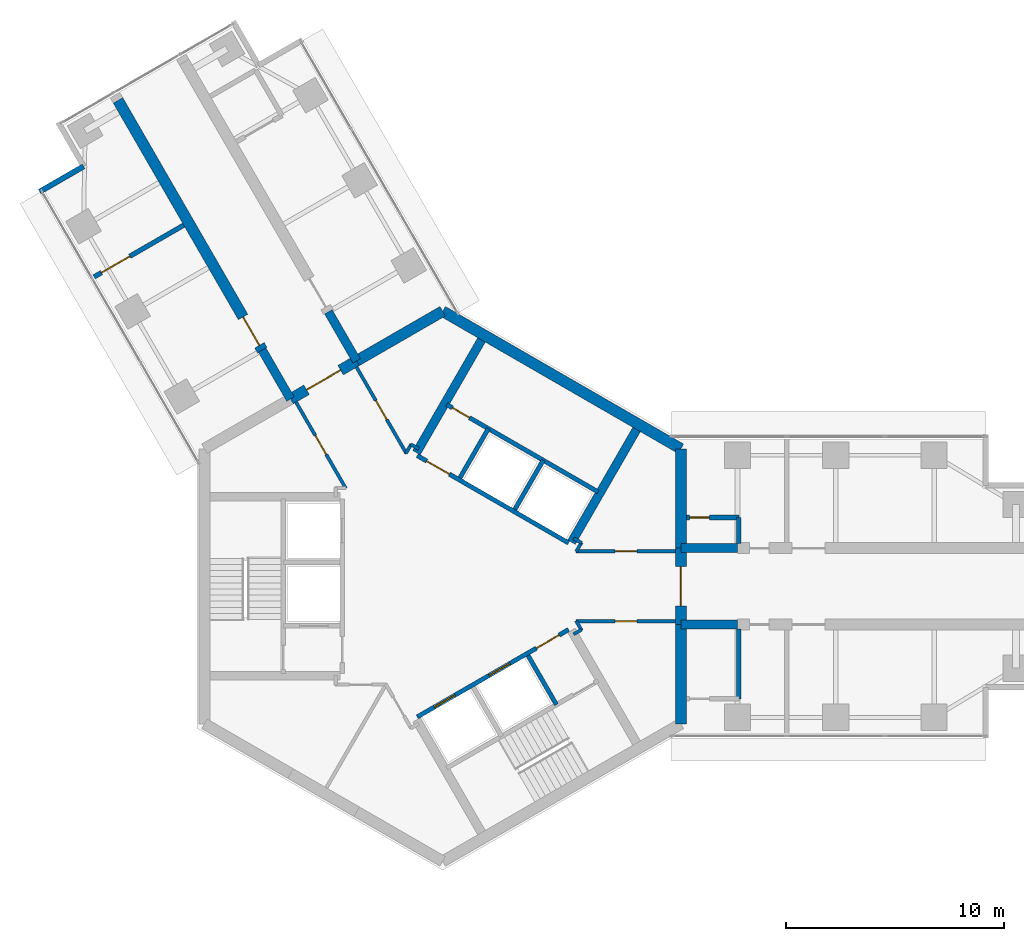
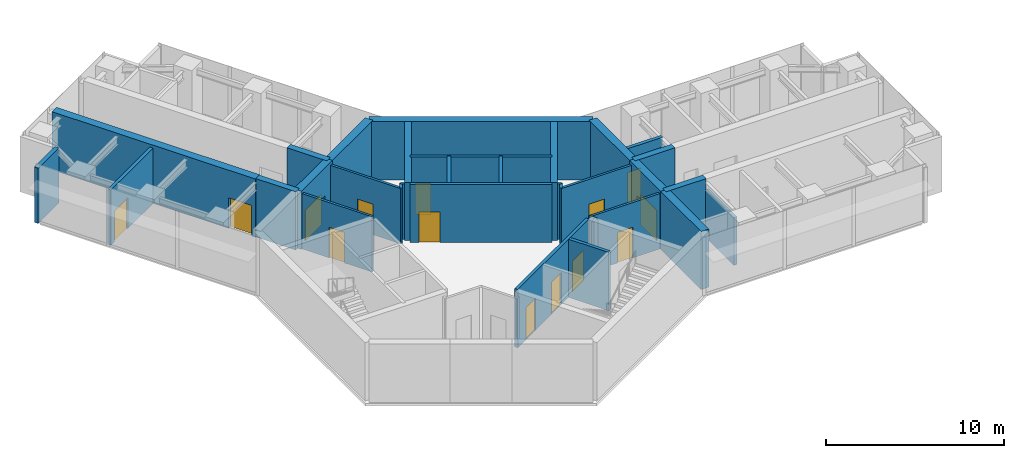
# One storey, part 12 of 17: 34 walls, 14 doors, 14 openings.
"""IFC4 building model written with IfcOpenShell, lengths in metres."""

from ifc_helpers import new_model, si_unit, direction, frame, frame_2d, origin, place, context, subcontext, project, spatial, rectangle, extrude, material, layer, layer_set, type_object, element, fill, save


model = new_model("IFC4")

# Units and contexts
model_context = context("Model", 3, precision=1e-05, world=origin(), true_north=direction((0.0, 1.0)))
body_context = subcontext(model_context, "Body", "Model", "MODEL_VIEW")
ifc_project = project(units=[si_unit("LENGTHUNIT", "METRE"), si_unit("AREAUNIT", "SQUARE_METRE"), si_unit("VOLUMEUNIT", "CUBIC_METRE"), si_unit("PLANEANGLEUNIT", "RADIAN"), si_unit("MASSUNIT", "GRAM", prefix="KILO")], contexts=[model_context])

# Site, building, storey
site_placement = place(None, origin())
site = spatial("IfcSite", under=ifc_project, at=site_placement, CompositionType="ELEMENT")
building_placement = place(site_placement, origin())
building = spatial("IfcBuilding", under=site, at=building_placement, Name="Upepo Twin Towers", CompositionType="ELEMENT")
storey_placement = place(building_placement, frame((0.0, 0.0, 182.5)))
storey = spatial("IfcBuildingStorey", under=building, at=storey_placement, Name="L44", CompositionType="ELEMENT", Elevation=182.5)

# Wall, opening, door
ifc_material_1 = material(Name="Concrete blockwork, plastered both faces", Category="masonry")
ifc_layer_1 = layer(ifc_material_1, 0.215087890625)
ifc_layer_set_1 = layer_set([ifc_layer_1], Name="Blockwork partition 215")
wall_type_1 = type_object("IfcWallType", Name="Blockwork partition 215", PredefinedType="PARTITIONING", material=ifc_layer_set_1)
wall_1_placement = place(storey_placement, frame((11.157958984375, 3.14990234375, 0.0), z_axis=(0.0, 0.0, 1.0), x_axis=(1.0, 0.0, 0.0)))
wall_1 = element("IfcWall", 1, at=wall_1_placement, inside=storey, type_object=wall_type_1, Name="T1 WC bay partition AL at 11.16", PredefinedType="PARTITIONING", context=body_context, shape_type="SweptSolid", body=[
    extrude(rectangle(XDim=2.400146484375, YDim=0.215087890625, at=frame_2d((1.2001953125, 0.0))), origin(), (0.0, 0.0, 1.0), 3.800048828125),
])
opening_1_placement = place(wall_1_placement, frame((0.14990234375, 0.0, 0.0)))
opening_1 = element("IfcOpeningElement", 2, at=opening_1_placement, cuts=wall_1, Name="Opening D14", PredefinedType="OPENING", context=body_context, shape_type="SweptSolid", body=[
    extrude(rectangle(XDim=0.89990234375, YDim=2.10009765625, at=frame_2d((0.449951171875, 1.050048828125))), frame((0.0, 0.117431640625, 0.0), z_axis=(0.0, -1.0, 0.0), x_axis=(1.0, 0.0, 0.0)), (0.0, 0.0, 1.0), 0.235107421875),
])
ifc_material_2 = material(Name="Timber doorset", Category="wood")
door_type_1 = type_object("IfcDoorType", Name="Office door 900 FD30", OperationType="SINGLE_SWING_LEFT", PredefinedType="DOOR", material=ifc_material_2)
door_1_placement = place(opening_1_placement, origin())
door_1 = element("IfcDoor", 3, at=door_1_placement, inside=storey, type_object=door_type_1, Name="T1 L44 WC bay inner room door", OperationType="SINGLE_SWING_LEFT", OverallHeight=2.10009765625, OverallWidth=0.89990234375, PredefinedType="DOOR", context=body_context, shape_type="SweptSolid", body=[
    extrude(rectangle(XDim=0.89990234375, YDim=2.10009765625, at=frame_2d((0.449951171875, 1.050048828125))), frame((0.0, 0.02490234375, 0.0), z_axis=(0.0, -1.0, 0.0), x_axis=(1.0, 0.0, 0.0)), (0.0, 0.0, 1.0), 0.050048828125),
])
fill(opening_1, door_1)

# Walls
wall_2_placement = place(storey_placement, frame((13.55810546875, 1.949951171875, 0.0), z_axis=(0.0, 0.0, 1.0), x_axis=(0.0, 1.0, 0.0)))
element("IfcWall", 4, at=wall_2_placement, inside=storey, type_object=wall_type_1, Name="T1 WC bay partition AL end at 13.56", PredefinedType="PARTITIONING", context=body_context, shape_type="SweptSolid", body=[
    extrude(rectangle(XDim=1.199951171875, YDim=0.215087890625, at=frame_2d((0.60009765625, 0.0))), origin(), (0.0, 0.0, 1.0), 3.266845703125),
])
wall_3_placement = place(storey_placement, frame((13.55810546875, -1.949951171875, 0.0), z_axis=(0.0, 0.0, 1.0), x_axis=(0.0, -1.0, 0.0)))
element("IfcWall", 5, at=wall_3_placement, inside=storey, type_object=wall_type_1, Name="T1 WC bay partition AR end at 13.56", PredefinedType="PARTITIONING", context=body_context, shape_type="SweptSolid", body=[
    extrude(rectangle(XDim=3.199951171875, YDim=0.215087890625, at=frame_2d((1.60009765625, 0.0))), origin(), (0.0, 0.0, 1.0), 3.266845703125),
])

# Wall, opening, door
wall_4_placement = place(storey_placement, frame((-11.85693359375, 16.537109375, 0.0), z_axis=(0.0, 0.0, 1.0), x_axis=(-0.866033238375, -0.499986429846, 0.0)))
wall_4 = element("IfcWall", 6, at=wall_4_placement, inside=storey, type_object=wall_type_1, Name="T1 partition BL at 20.25", PredefinedType="PARTITIONING", context=body_context, shape_type="SweptSolid", body=[
    extrude(rectangle(XDim=4.750244140625, YDim=0.215087890625, at=frame_2d((2.375, 0.0))), origin(), (0.0, 0.0, 1.0), 3.800048828125),
])
opening_2_placement = place(wall_4_placement, frame((2.85009765625, 0.0, 0.0)))
opening_2 = element("IfcOpeningElement", 7, at=opening_2_placement, cuts=wall_4, Name="Opening D13", PredefinedType="OPENING", context=body_context, shape_type="SweptSolid", body=[
    extrude(rectangle(XDim=1.5, YDim=2.10009765625, at=frame_2d((0.75, 1.050048828125))), frame((0.0, 0.117431640625, 0.0), z_axis=(0.0, -1.0, 0.0), x_axis=(1.0, 0.0, 0.0)), (0.0, 0.0, 1.0), 0.235107421875),
])
ifc_material_3 = material(Name="Timber doorset", Category="wood")
door_type_2 = type_object("IfcDoorType", Name="Double door 1500 FD30", OperationType="DOUBLE_DOOR_SINGLE_SWING", PredefinedType="DOOR", material=ifc_material_3)
door_2_placement = place(opening_2_placement, origin())
door_2 = element("IfcDoor", 8, at=door_2_placement, inside=storey, type_object=door_type_2, Name="T1 L44 connecting door", OperationType="DOUBLE_DOOR_SINGLE_SWING", OverallHeight=2.10009765625, OverallWidth=1.5, PredefinedType="DOOR", context=body_context, shape_type="SweptSolid", body=[
    extrude(rectangle(XDim=1.5, YDim=2.10009765625, at=frame_2d((0.75, 1.050048828125))), frame((0.0, 0.02490234375, 0.0), z_axis=(0.0, -1.0, 0.0), x_axis=(1.0, 0.0, 0.0)), (0.0, 0.0, 1.0), 0.050048828125),
])
fill(opening_2, door_2)

# Walls
ifc_material_4 = material(Name="Concrete C60/75", Category="concrete")
ifc_layer_2 = layer(ifc_material_4, 0.39990234375)
ifc_layer_set_2 = layer_set([ifc_layer_2], Name="Concrete C60/75")
wall_type_2 = type_object("IfcWallType", Name="Buttress wall 400 RC", PredefinedType="SHEAR", material=ifc_layer_set_2)
for number, where, z_axis, x_axis, name in (
    (9, (10.908447265625, 1.75, 0.0), (0.0, 0.0, 1.0), (1.0, 0.0, 0.0), "T1 wing A buttress wall L"),
    (10, (10.908447265625, -1.75, 0.0), (0.0, 0.0, 1.0), (1.0, 0.0, 0.0), "T1 wing A buttress wall R"),
):
    element("IfcWall", number, at=place(storey_placement, frame(where, z_axis=z_axis, x_axis=x_axis)), inside=storey, type_object=wall_type_2, Name=name, PredefinedType="SHEAR", context=body_context, shape_type="SweptSolid", body=[
        extrude(rectangle(XDim=2.591552734375, YDim=0.39990234375, at=frame_2d((1.2958984375, 0.0))), origin(), (0.0, 0.0, 1.0), 4.0),
    ])
for number, where, z_axis, x_axis, name in (
    (11, (-6.9697265625, 8.57177734375, 0.0), (0.0, 0.0, 1.0), (-0.499988811324, 0.866031863473, 0.0), "T1 wing B buttress wall L"),
    (12, (-3.938720703125, 10.32177734375, 0.0), (0.0, 0.0, 1.0), (-0.499918158782, 0.866072649678, 0.0), "T1 wing B buttress wall R"),
):
    element("IfcWall", number, at=place(storey_placement, frame(where, z_axis=z_axis, x_axis=x_axis)), inside=storey, type_object=wall_type_2, Name=name, PredefinedType="SHEAR", context=body_context, shape_type="SweptSolid", body=[
        extrude(rectangle(XDim=2.591796875, YDim=0.39990234375, at=frame_2d((1.2958984375, 0.0))), origin(), (0.0, 0.0, 1.0), 4.0),
    ])

# Wall, opening, door
ifc_material_5 = material(Name="Concrete C60/75", Category="concrete")
ifc_layer_3 = layer(ifc_material_5, 0.5)
ifc_layer_set_3 = layer_set([ifc_layer_3], Name="Concrete C60/75")
wall_type_3 = type_object("IfcWallType", Name="Buttress wall 500 RC", PredefinedType="SHEAR", material=ifc_layer_set_3)
wall_5_placement = place(storey_placement, frame((-8.265625, 10.81640625, 0.0), z_axis=(0.0, 0.0, 1.0), x_axis=(-0.499996231654, 0.866027579429, 0.0)))
wall_5 = element("IfcWall", 13, at=wall_5_placement, inside=storey, type_object=wall_type_3, Name="T1 wing B buttress wall L part 2", PredefinedType="SHEAR", context=body_context, shape_type="SweptSolid", body=[
    extrude(rectangle(XDim=13.19970703125, YDim=0.5, at=frame_2d((6.599853515625, 0.0))), origin(), (0.0, 0.0, 1.0), 4.0),
])
opening_3_placement = place(wall_5_placement, frame((0.25, 0.0, 0.0)))
opening_3 = element("IfcOpeningElement", 14, at=opening_3_placement, cuts=wall_5, Name="Opening D13", PredefinedType="OPENING", context=body_context, shape_type="SweptSolid", body=[
    extrude(rectangle(XDim=1.5, YDim=2.10009765625, at=frame_2d((0.75, 1.050048828125))), frame((0.0, 0.260009765625, 0.0), z_axis=(0.0, -1.0, 0.0), x_axis=(1.0, 0.0, 0.0)), (0.0, 0.0, 1.0), 0.52001953125),
])
door_3_placement = place(opening_3_placement, origin())
door_3 = element("IfcDoor", 15, at=door_3_placement, inside=storey, type_object=door_type_2, Name="T1 L44 engineering laboratory door", OperationType="DOUBLE_DOOR_SINGLE_SWING", OverallHeight=2.10009765625, OverallWidth=1.5, PredefinedType="DOOR", context=body_context, shape_type="SweptSolid", body=[
    extrude(rectangle(XDim=1.5, YDim=2.10009765625, at=frame_2d((0.75, 1.050048828125))), frame((0.0, 0.02490234375, 0.0), z_axis=(0.0, -1.0, 0.0), x_axis=(1.0, 0.0, 0.0)), (0.0, 0.0, 1.0), 0.050048828125),
])
fill(opening_3, door_3)

# Wall
ifc_material_6 = material(Name="Concrete C60/75", Category="concrete")
ifc_layer_4 = layer(ifc_material_6, 0.5)
ifc_layer_set_4 = layer_set([ifc_layer_4], Name="Concrete C60/75")
wall_type_4 = type_object("IfcWallType", Name="Core wall 500 RC", PredefinedType="SHEAR", material=ifc_layer_set_4)
wall_6_placement = place(storey_placement, frame((10.908447265625, -6.2978515625, 0.0), z_axis=(0.0, 0.0, 1.0), x_axis=(0.0, 1.0, 0.0)))
element("IfcWall", 16, at=wall_6_placement, inside=storey, type_object=wall_type_4, Name="T1 core wall 000 R", PredefinedType="SHEAR", context=body_context, shape_type="SweptSolid", body=[
    extrude(rectangle(XDim=4.5478515625, YDim=0.5, at=frame_2d((2.27392578125, 0.0))), origin(), (0.0, 0.0, 1.0), 4.0),
])

# Wall, opening, door
wall_7_placement = place(storey_placement, frame((10.908447265625, -1.75, 0.0), z_axis=(0.0, 0.0, 1.0), x_axis=(0.0, 1.0, 0.0)))
wall_7 = element("IfcWall", 17, at=wall_7_placement, inside=storey, type_object=wall_type_4, Name="T1 core wall 000", PredefinedType="SHEAR", context=body_context, shape_type="SweptSolid", body=[
    extrude(rectangle(XDim=3.5, YDim=0.5, at=frame_2d((1.75, 0.0))), origin(), (0.0, 0.0, 1.0), 4.0),
])
opening_4_placement = place(wall_7_placement, frame((0.85009765625, 0.0, 0.0)))
opening_4 = element("IfcOpeningElement", 18, at=opening_4_placement, cuts=wall_7, Name="Opening D2", PredefinedType="OPENING", context=body_context, shape_type="SweptSolid", body=[
    extrude(rectangle(XDim=1.800048828125, YDim=2.10009765625, at=frame_2d((0.89990234375, 1.050048828125))), frame((0.0, 0.260009765625, 0.0), z_axis=(0.0, -1.0, 0.0), x_axis=(1.0, 0.0, 0.0)), (0.0, 0.0, 1.0), 0.52001953125),
])
ifc_material_7 = material(Name="Timber doorset", Category="wood")
door_type_3 = type_object("IfcDoorType", Name="Corridor double door 1800 FD60", OperationType="DOUBLE_DOOR_DOUBLE_SWING", PredefinedType="DOOR", material=ifc_material_7)
door_4_placement = place(opening_4_placement, origin())
door_4 = element("IfcDoor", 19, at=door_4_placement, inside=storey, type_object=door_type_3, Name="T1 L44 wing A corridor door", OperationType="DOUBLE_DOOR_DOUBLE_SWING", OverallHeight=2.10009765625, OverallWidth=1.800048828125, PredefinedType="DOOR", context=body_context, shape_type="SweptSolid", body=[
    extrude(rectangle(XDim=1.800048828125, YDim=2.10009765625, at=frame_2d((0.89990234375, 1.050048828125))), frame((0.0, 0.02490234375, 0.0), z_axis=(0.0, -1.0, 0.0), x_axis=(1.0, 0.0, 0.0)), (0.0, 0.0, 1.0), 0.050048828125),
])
fill(opening_4, door_4)

# Walls
wall_8_placement = place(storey_placement, frame((10.908447265625, 1.75, 0.0), z_axis=(0.0, 0.0, 1.0), x_axis=(0.0, 1.0, 0.0)))
element("IfcWall", 20, at=wall_8_placement, inside=storey, type_object=wall_type_4, Name="T1 core wall 000 L", PredefinedType="SHEAR", context=body_context, shape_type="SweptSolid", body=[
    extrude(rectangle(XDim=4.5478515625, YDim=0.5, at=frame_2d((2.27392578125, 0.0))), origin(), (0.0, 0.0, 1.0), 4.0),
])
wall_9_placement = place(storey_placement, frame((10.908447265625, 6.2978515625, 0.0), z_axis=(0.0, 0.0, 1.0), x_axis=(-0.866021940709, 0.500005998175, 0.0)))
element("IfcWall", 21, at=wall_9_placement, inside=storey, type_object=wall_type_4, Name="T1 core wall 060", PredefinedType="SHEAR", context=body_context, shape_type="SweptSolid", body=[
    extrude(rectangle(XDim=12.595947265625, YDim=0.5, at=frame_2d((6.2978515625, 0.0))), origin(), (0.0, 0.0, 1.0), 4.0),
])
wall_10_placement = place(storey_placement, frame((0.0, 12.595947265625, 0.0), z_axis=(0.0, 0.0, 1.0), x_axis=(-0.866011268655, -0.500024481964, 0.0)))
element("IfcWall", 22, at=wall_10_placement, inside=storey, type_object=wall_type_4, Name="T1 core wall 120 R", PredefinedType="SHEAR", context=body_context, shape_type="SweptSolid", body=[
    extrude(rectangle(XDim=4.548095703125, YDim=0.5, at=frame_2d((2.27392578125, 0.0))), origin(), (0.0, 0.0, 1.0), 4.0),
])

# Wall, opening, door
wall_11_placement = place(storey_placement, frame((-3.938720703125, 10.32177734375, 0.0), z_axis=(0.0, 0.0, 1.0), x_axis=(-0.866019471182, -0.500010275428, 0.0)))
wall_11 = element("IfcWall", 23, at=wall_11_placement, inside=storey, type_object=wall_type_4, Name="T1 core wall 120", PredefinedType="SHEAR", context=body_context, shape_type="SweptSolid", body=[
    extrude(rectangle(XDim=3.5, YDim=0.5, at=frame_2d((1.75, 0.0))), origin(), (0.0, 0.0, 1.0), 4.0),
])
opening_5_placement = place(wall_11_placement, frame((0.85009765625, 0.0, 0.0)))
opening_5 = element("IfcOpeningElement", 24, at=opening_5_placement, cuts=wall_11, Name="Opening D2", PredefinedType="OPENING", context=body_context, shape_type="SweptSolid", body=[
    extrude(rectangle(XDim=1.800048828125, YDim=2.10009765625, at=frame_2d((0.89990234375, 1.050048828125))), frame((0.0, 0.260009765625, 0.0), z_axis=(0.0, -1.0, 0.0), x_axis=(1.0, 0.0, 0.0)), (0.0, 0.0, 1.0), 0.52001953125),
])
door_5_placement = place(opening_5_placement, origin())
door_5 = element("IfcDoor", 25, at=door_5_placement, inside=storey, type_object=door_type_3, Name="T1 L44 wing B corridor door", OperationType="DOUBLE_DOOR_DOUBLE_SWING", OverallHeight=2.10009765625, OverallWidth=1.800048828125, PredefinedType="DOOR", context=body_context, shape_type="SweptSolid", body=[
    extrude(rectangle(XDim=1.800048828125, YDim=2.10009765625, at=frame_2d((0.89990234375, 1.050048828125))), frame((0.0, 0.02490234375, 0.0), z_axis=(0.0, -1.0, 0.0), x_axis=(1.0, 0.0, 0.0)), (0.0, 0.0, 1.0), 0.050048828125),
])
fill(opening_5, door_5)

# Wall
ifc_material_8 = material(Name="Blockwork with anodised aluminium cladding", Category="masonry")
ifc_layer_5 = layer(ifc_material_8, 0.25)
ifc_layer_set_5 = layer_set([ifc_layer_5], Name="Notch cladding wall 250, pale metal")
wall_type_5 = type_object("IfcWallType", Name="Notch cladding wall 250, pale metal", PredefinedType="STANDARD", material=ifc_layer_set_5)
wall_12_placement = place(storey_placement, frame((-18.456298828125, 18.0673828125, 0.0), z_axis=(0.0, 0.0, 1.0), x_axis=(0.865998469481, 0.500046648681, 0.0)))
element("IfcWall", 26, at=wall_12_placement, inside=storey, type_object=wall_type_5, Name="T1 L44 wing B notch wall L1", PredefinedType="STANDARD", context=body_context, shape_type="SweptSolid", body=[
    extrude(rectangle(XDim=2.324951171875, YDim=0.25, at=frame_2d((1.16259765625, 0.0))), origin(), (0.0, 0.0, 1.0), 3.800048828125),
])

# Wall, opening, door
ifc_material_9 = material(Name="Concrete C40/50", Category="concrete")
ifc_layer_6 = layer(ifc_material_9, 0.199951171875)
ifc_layer_set_6 = layer_set([ifc_layer_6], Name="Concrete C40/50")
wall_type_6 = type_object("IfcWallType", Name="Shaft wall 200 RC", PredefinedType="SHEAR", material=ifc_layer_set_6)
wall_13_placement = place(storey_placement, frame((5.76416015625, 1.983642578125, 0.0), z_axis=(0.0, 0.0, 1.0), x_axis=(-0.866026010844, 0.49999894854, 0.0)))
wall_13 = element("IfcWall", 27, at=wall_13_placement, inside=storey, type_object=wall_type_6, Name="T1 core W60 front wall", PredefinedType="SHEAR", context=body_context, shape_type="SweptSolid", body=[
    extrude(rectangle(XDim=8.0, YDim=0.199951171875, at=frame_2d((4.0, 0.0))), origin(), (0.0, 0.0, 1.0), 4.0),
])
opening_6_placement = place(wall_13_placement, frame((6.300048828125, 0.0, 0.0)))
opening_6 = element("IfcOpeningElement", 28, at=opening_6_placement, cuts=wall_13, Name="Opening D4", PredefinedType="OPENING", context=body_context, shape_type="SweptSolid", body=[
    extrude(rectangle(XDim=1.199951171875, YDim=2.10009765625, at=frame_2d((0.60009765625, 1.050048828125))), frame((0.0, 0.10986328125, 0.0), z_axis=(0.0, -1.0, 0.0), x_axis=(1.0, 0.0, 0.0)), (0.0, 0.0, 1.0), 0.219970703125),
])
ifc_material_10 = material(Name="Timber doorset", Category="wood")
door_type_4 = type_object("IfcDoorType", Name="Lobby door 1200 FD60", OperationType="SINGLE_SWING_LEFT", PredefinedType="DOOR", material=ifc_material_10)
door_6_placement = place(opening_6_placement, origin())
door_6 = element("IfcDoor", 29, at=door_6_placement, inside=storey, type_object=door_type_4, Name="T1 L44 W60 lobby door", OperationType="SINGLE_SWING_RIGHT", OverallHeight=2.10009765625, OverallWidth=1.199951171875, PredefinedType="DOOR", context=body_context, shape_type="SweptSolid", body=[
    extrude(rectangle(XDim=1.199951171875, YDim=2.10009765625, at=frame_2d((0.60009765625, 1.050048828125))), frame((0.0, 0.02490234375, 0.0), z_axis=(0.0, -1.0, 0.0), x_axis=(1.0, 0.0, 0.0)), (0.0, 0.0, 1.0), 0.050048828125),
])
fill(opening_6, door_6)

# Walls
for number, where, z_axis, x_axis, name in (
    (30, (3.302734375, 3.520263671875, 0.0), (0.0, 0.0, 1.0), (0.499936506574, 0.866062058628, 0.0), "T1 core W60 shaft divider"),
    (31, (0.791259765625, 4.97021484375, 0.0), (0.0, 0.0, 1.0), (0.499936506574, 0.866062058628, 0.0), "T1 core W60 lobby wall"),
):
    element("IfcWall", number, at=place(storey_placement, frame(where, z_axis=z_axis, x_axis=x_axis)), inside=storey, type_object=wall_type_6, Name=name, PredefinedType="SHEAR", context=body_context, shape_type="SweptSolid", body=[
        extrude(rectangle(XDim=2.599853515625, YDim=0.199951171875, at=frame_2d((1.2998046875, 0.0))), origin(), (0.0, 0.0, 1.0), 4.0),
    ])

# Wall, opening, door
wall_14_placement = place(storey_placement, frame((7.114013671875, 4.322021484375, 0.0), z_axis=(0.0, 0.0, 1.0), x_axis=(-0.866026010844, 0.49999894854, 0.0)))
wall_14 = element("IfcWall", 32, at=wall_14_placement, inside=storey, type_object=wall_type_6, Name="T1 core W60 stair wall", PredefinedType="SHEAR", context=body_context, shape_type="SweptSolid", body=[
    extrude(rectangle(XDim=8.0, YDim=0.199951171875, at=frame_2d((4.0, 0.0))), origin(), (0.0, 0.0, 1.0), 4.0),
])
opening_7_placement = place(wall_14_placement, frame((6.800048828125, 0.0, 0.0)))
opening_7 = element("IfcOpeningElement", 33, at=opening_7_placement, cuts=wall_14, Name="Opening D9", PredefinedType="OPENING", context=body_context, shape_type="SweptSolid", body=[
    extrude(rectangle(XDim=0.89990234375, YDim=2.10009765625, at=frame_2d((0.449951171875, 1.050048828125))), frame((0.0, 0.10986328125, 0.0), z_axis=(0.0, -1.0, 0.0), x_axis=(1.0, 0.0, 0.0)), (0.0, 0.0, 1.0), 0.219970703125),
])
ifc_material_11 = material(Name="Timber doorset", Category="wood")
door_type_5 = type_object("IfcDoorType", Name="Riser door 900 FD60", OperationType="SINGLE_SWING_LEFT", PredefinedType="DOOR", material=ifc_material_11)
door_7_placement = place(opening_7_placement, origin())
door_7 = element("IfcDoor", 34, at=door_7_placement, inside=storey, type_object=door_type_5, Name="T1 L44 riser door", OperationType="SINGLE_SWING_RIGHT", OverallHeight=2.10009765625, OverallWidth=0.89990234375, PredefinedType="DOOR", context=body_context, shape_type="SweptSolid", body=[
    extrude(rectangle(XDim=0.89990234375, YDim=2.10009765625, at=frame_2d((0.449951171875, 1.050048828125))), frame((0.0, 0.02490234375, 0.0), z_axis=(0.0, -1.0, 0.0), x_axis=(1.0, 0.0, 0.0)), (0.0, 0.0, 1.0), 0.050048828125),
])
fill(opening_7, door_7)

# Wall, openings, doors
wall_15_placement = place(storey_placement, frame((-1.1640625, -5.983642578125, 0.0), z_axis=(0.0, 0.0, 1.0), x_axis=(0.866026010844, 0.49999894854, 0.0)))
wall_15 = element("IfcWall", 35, at=wall_15_placement, inside=storey, type_object=wall_type_6, Name="T1 core W300 front wall", PredefinedType="SHEAR", context=body_context, shape_type="SweptSolid", body=[
    extrude(rectangle(XDim=8.0, YDim=0.199951171875, at=frame_2d((4.0, 0.0))), origin(), (0.0, 0.0, 1.0), 4.0),
])
opening_8_placement = place(wall_15_placement, frame((6.300048828125, 0.0, 0.0)))
opening_8 = element("IfcOpeningElement", 36, at=opening_8_placement, cuts=wall_15, Name="Opening D4", PredefinedType="OPENING", context=body_context, shape_type="SweptSolid", body=[
    extrude(rectangle(XDim=1.199951171875, YDim=2.10009765625, at=frame_2d((0.60009765625, 1.050048828125))), frame((0.0, 0.10986328125, 0.0), z_axis=(0.0, -1.0, 0.0), x_axis=(1.0, 0.0, 0.0)), (0.0, 0.0, 1.0), 0.219970703125),
])
opening_9_placement = place(wall_15_placement, frame((0.89990234375, 0.0, 0.0)))
opening_9 = element("IfcOpeningElement", 37, at=opening_9_placement, cuts=wall_15, Name="Opening LD1", PredefinedType="OPENING", context=body_context, shape_type="SweptSolid", body=[
    extrude(rectangle(XDim=1.10009765625, YDim=2.199951171875, at=frame_2d((0.550048828125, 1.10009765625))), frame((0.0, 0.10986328125, 0.0), z_axis=(0.0, -1.0, 0.0), x_axis=(1.0, 0.0, 0.0)), (0.0, 0.0, 1.0), 0.219970703125),
])
opening_10_placement = place(wall_15_placement, frame((3.800048828125, 0.0, 0.0)))
opening_10 = element("IfcOpeningElement", 38, at=opening_10_placement, cuts=wall_15, Name="Opening LD1", PredefinedType="OPENING", context=body_context, shape_type="SweptSolid", body=[
    extrude(rectangle(XDim=1.10009765625, YDim=2.199951171875, at=frame_2d((0.550048828125, 1.10009765625))), frame((0.0, 0.10986328125, 0.0), z_axis=(0.0, -1.0, 0.0), x_axis=(1.0, 0.0, 0.0)), (0.0, 0.0, 1.0), 0.219970703125),
])
ifc_material_12 = material(Name="Steel doorset", Category="steel")
door_type_6 = type_object("IfcDoorType", Name="Lift landing door 1100", OperationType="DOUBLE_DOOR_SLIDING", PredefinedType="DOOR", material=ifc_material_12)
door_8_placement = place(opening_9_placement, origin())
door_8 = element("IfcDoor", 39, at=door_8_placement, inside=storey, type_object=door_type_6, Name="T1 L44 lift UL1 landing door", OperationType="DOUBLE_DOOR_SLIDING", OverallHeight=2.199951171875, OverallWidth=1.10009765625, PredefinedType="DOOR", context=body_context, shape_type="SweptSolid", body=[
    extrude(rectangle(XDim=1.10009765625, YDim=2.199951171875, at=frame_2d((0.550048828125, 1.10009765625))), frame((0.0, 0.02490234375, 0.0), z_axis=(0.0, -1.0, 0.0), x_axis=(1.0, 0.0, 0.0)), (0.0, 0.0, 1.0), 0.050048828125),
])
fill(opening_9, door_8)
door_9_placement = place(opening_10_placement, origin())
door_9 = element("IfcDoor", 40, at=door_9_placement, inside=storey, type_object=door_type_6, Name="T1 L44 lift UL2 landing door", OperationType="DOUBLE_DOOR_SLIDING", OverallHeight=2.199951171875, OverallWidth=1.10009765625, PredefinedType="DOOR", context=body_context, shape_type="SweptSolid", body=[
    extrude(rectangle(XDim=1.10009765625, YDim=2.199951171875, at=frame_2d((0.550048828125, 1.10009765625))), frame((0.0, 0.02490234375, 0.0), z_axis=(0.0, -1.0, 0.0), x_axis=(1.0, 0.0, 0.0)), (0.0, 0.0, 1.0), 0.050048828125),
])
fill(opening_10, door_9)
door_10_placement = place(opening_8_placement, origin())
door_10 = element("IfcDoor", 41, at=door_10_placement, inside=storey, type_object=door_type_4, Name="T1 L44 W300 lobby door", OperationType="SINGLE_SWING_RIGHT", OverallHeight=2.10009765625, OverallWidth=1.199951171875, PredefinedType="DOOR", context=body_context, shape_type="SweptSolid", body=[
    extrude(rectangle(XDim=1.199951171875, YDim=2.10009765625, at=frame_2d((0.60009765625, 1.050048828125))), frame((0.0, 0.02490234375, 0.0), z_axis=(0.0, -1.0, 0.0), x_axis=(1.0, 0.0, 0.0)), (0.0, 0.0, 1.0), 0.050048828125),
])
fill(opening_8, door_10)

# Walls
wall_16_placement = place(storey_placement, frame((3.908935546875, -3.17041015625, 0.0), z_axis=(0.0, 0.0, 1.0), x_axis=(0.49997716683, -0.86603858612, 0.0)))
element("IfcWall", 42, at=wall_16_placement, inside=storey, type_object=wall_type_6, Name="T1 core W300 lobby wall", PredefinedType="SHEAR", context=body_context, shape_type="SweptSolid", body=[
    extrude(rectangle(XDim=2.599609375, YDim=0.199951171875, at=frame_2d((1.2998046875, 0.0))), origin(), (0.0, 0.0, 1.0), 4.0),
])
ifc_material_13 = material(Name="Concrete C40/50", Category="concrete")
ifc_layer_7 = layer(ifc_material_13, 0.39990234375)
ifc_layer_set_7 = layer_set([ifc_layer_7], Name="Concrete C40/50")
wall_type_7 = type_object("IfcWallType", Name="Shaft wall 400 RC", PredefinedType="SHEAR", material=ifc_layer_set_7)
wall_17_placement = place(storey_placement, frame((-1.20068359375, 6.120361328125, 0.0), z_axis=(0.0, 0.0, 1.0), x_axis=(0.500021575205, 0.866012946976, 0.0)))
element("IfcWall", 43, at=wall_17_placement, inside=storey, type_object=wall_type_7, Name="T1 core W60 side wall N", PredefinedType="SHEAR", context=body_context, shape_type="SweptSolid", body=[
    extrude(rectangle(XDim=5.958251953125, YDim=0.39990234375, at=frame_2d((2.97900390625, 0.0))), origin(), (0.0, 0.0, 1.0), 4.0),
])
wall_18_placement = place(storey_placement, frame((5.900634765625, 2.020263671875, 0.0), z_axis=(0.0, 0.0, 1.0), x_axis=(0.500003832394, 0.86602319114, 0.0)))
element("IfcWall", 44, at=wall_18_placement, inside=storey, type_object=wall_type_7, Name="T1 core W60 side wall S", PredefinedType="SHEAR", context=body_context, shape_type="SweptSolid", body=[
    extrude(rectangle(XDim=5.95849609375, YDim=0.39990234375, at=frame_2d((2.979248046875, 0.0))), origin(), (0.0, 0.0, 1.0), 4.0),
])
ifc_material_14 = material(Name="Gypsum board on steel studs", Category="steel")
ifc_layer_8 = layer(ifc_material_14, 0.14990234375)
ifc_layer_set_8 = layer_set([ifc_layer_8], Name="Teaching partition 150 acoustic")
wall_type_8 = type_object("IfcWallType", Name="Teaching partition 150 acoustic", PredefinedType="PARTITIONING", material=ifc_layer_set_8)
wall_19_placement = place(storey_placement, frame((6.364501953125, -1.9833984375, 0.0), z_axis=(0.0, 0.0, 1.0), x_axis=(-0.865892400268, -0.500230298122, 0.0)))
element("IfcWall", 45, at=wall_19_placement, inside=storey, type_object=wall_type_8, Name="T1 core room partition 1", PredefinedType="PARTITIONING", context=body_context, shape_type="SweptSolid", body=[
    extrude(rectangle(XDim=0.429931640625, YDim=0.14990234375, at=frame_2d((0.21484375, 0.0))), origin(), (0.0, 0.0, 1.0), 3.800048828125),
])

# Wall, opening, door
wall_20_placement = place(storey_placement, frame((-4.435546875, 4.482666015625, 0.0), z_axis=(0.0, 0.0, 1.0), x_axis=(-0.500001558674, 0.866024503882, 0.0)))
wall_20 = element("IfcWall", 46, at=wall_20_placement, inside=storey, type_object=wall_type_8, Name="T1 core room partition 8", PredefinedType="PARTITIONING", context=body_context, shape_type="SweptSolid", body=[
    extrude(rectangle(XDim=4.568359375, YDim=0.14990234375, at=frame_2d((2.2841796875, 0.0))), origin(), (0.0, 0.0, 1.0), 3.800048828125),
])
opening_11_placement = place(wall_20_placement, frame((1.794189453125, 0.0, 0.0)))
opening_11 = element("IfcOpeningElement", 47, at=opening_11_placement, cuts=wall_20, Name="Opening D1", PredefinedType="OPENING", context=body_context, shape_type="SweptSolid", body=[
    extrude(rectangle(XDim=1.0, YDim=2.10009765625, at=frame_2d((0.5, 1.050048828125))), frame((0.0, 0.0849609375, 0.0), z_axis=(0.0, -1.0, 0.0), x_axis=(1.0, 0.0, 0.0)), (0.0, 0.0, 1.0), 0.169921875),
])
ifc_material_15 = material(Name="Timber doorset", Category="wood")
door_type_7 = type_object("IfcDoorType", Name="Room door 1000 FD30", OperationType="SINGLE_SWING_LEFT", PredefinedType="DOOR", material=ifc_material_15)
door_11_placement = place(opening_11_placement, origin())
door_11 = element("IfcDoor", 48, at=door_11_placement, inside=storey, type_object=door_type_7, Name="T1 L44 core room door K6", OperationType="SINGLE_SWING_RIGHT", OverallHeight=2.10009765625, OverallWidth=1.0, PredefinedType="DOOR", context=body_context, shape_type="SweptSolid", body=[
    extrude(rectangle(XDim=1.0, YDim=2.10009765625, at=frame_2d((0.5, 1.050048828125))), frame((0.0, 0.02490234375, 0.0), z_axis=(0.0, -1.0, 0.0), x_axis=(1.0, 0.0, 0.0)), (0.0, 0.0, 1.0), 0.050048828125),
])
fill(opening_11, door_11)

wall_21_placement = place(storey_placement, frame((-3.948486328125, 10.0390625, 0.0), z_axis=(0.0, 0.0, 1.0), x_axis=(0.500001558674, -0.866024503882, 0.0)))
wall_21 = element("IfcWall", 49, at=wall_21_placement, inside=storey, type_object=wall_type_8, Name="T1 core room partition 9", PredefinedType="PARTITIONING", context=body_context, shape_type="SweptSolid", body=[
    extrude(rectangle(XDim=4.568359375, YDim=0.14990234375, at=frame_2d((2.2841796875, 0.0))), origin(), (0.0, 0.0, 1.0), 3.800048828125),
])
opening_12_placement = place(wall_21_placement, frame((1.774169921875, 0.0, 0.0)))
opening_12 = element("IfcOpeningElement", 50, at=opening_12_placement, cuts=wall_21, Name="Opening D1", PredefinedType="OPENING", context=body_context, shape_type="SweptSolid", body=[
    extrude(rectangle(XDim=1.0, YDim=2.10009765625, at=frame_2d((0.5, 1.050048828125))), frame((0.0, 0.0849609375, 0.0), z_axis=(0.0, -1.0, 0.0), x_axis=(1.0, 0.0, 0.0)), (0.0, 0.0, 1.0), 0.169921875),
])
door_12_placement = place(opening_12_placement, origin())
door_12 = element("IfcDoor", 51, at=door_12_placement, inside=storey, type_object=door_type_7, Name="T1 L44 core room door K5", OperationType="SINGLE_SWING_LEFT", OverallHeight=2.10009765625, OverallWidth=1.0, PredefinedType="DOOR", context=body_context, shape_type="SweptSolid", body=[
    extrude(rectangle(XDim=1.0, YDim=2.10009765625, at=frame_2d((0.5, 1.050048828125))), frame((0.0, 0.02490234375, 0.0), z_axis=(0.0, -1.0, 0.0), x_axis=(1.0, 0.0, 0.0)), (0.0, 0.0, 1.0), 0.050048828125),
])
fill(opening_12, door_12)

# Walls
wall_22_placement = place(storey_placement, frame((-1.684326171875, 6.082763671875, 0.0), z_axis=(0.0, 0.0, 1.0), x_axis=(0.50033519877, 0.865831790172, 0.0)))
element("IfcWall", 52, at=wall_22_placement, inside=storey, type_object=wall_type_8, Name="T1 core room partition 10", PredefinedType="PARTITIONING", context=body_context, shape_type="SweptSolid", body=[
    extrude(rectangle(XDim=0.494384765625, YDim=0.14990234375, at=frame_2d((0.2470703125, 0.0))), origin(), (0.0, 0.0, 1.0), 3.800048828125),
])
for number, where, z_axis, x_axis, name in (
    (53, (-1.46435546875, 6.50341796875, 0.0), (0.0, 0.0, 1.0), (0.866138304741, -0.499804398801, 0.0), "T1 core room partition 11"),
    (54, (5.9921875, 2.198486328125, 0.0), (0.0, 0.0, 1.0), (0.865892400268, -0.500230298122, 0.0), "T1 core room partition 12"),
):
    element("IfcWall", number, at=place(storey_placement, frame(where, z_axis=z_axis, x_axis=x_axis)), inside=storey, type_object=wall_type_8, Name=name, PredefinedType="PARTITIONING", context=body_context, shape_type="SweptSolid", body=[
        extrude(rectangle(XDim=0.429931640625, YDim=0.14990234375, at=frame_2d((0.21484375, 0.0))), origin(), (0.0, 0.0, 1.0), 3.800048828125),
    ])
wall_23_placement = place(storey_placement, frame((6.357177734375, 2.0107421875, 0.0), z_axis=(0.0, 0.0, 1.0), x_axis=(-0.50033519877, -0.865831790172, 0.0)))
element("IfcWall", 55, at=wall_23_placement, inside=storey, type_object=wall_type_8, Name="T1 core room partition 13", PredefinedType="PARTITIONING", context=body_context, shape_type="SweptSolid", body=[
    extrude(rectangle(XDim=0.494384765625, YDim=0.14990234375, at=frame_2d((0.2470703125, 0.0))), origin(), (0.0, 0.0, 1.0), 3.800048828125),
])

# Wall, opening, door
wall_24_placement = place(storey_placement, frame((6.099853515625, 1.60009765625, 0.0), z_axis=(0.0, 0.0, 1.0), x_axis=(1.0, 0.0, 0.0)))
wall_24 = element("IfcWall", 56, at=wall_24_placement, inside=storey, type_object=wall_type_8, Name="T1 core room partition 14", PredefinedType="PARTITIONING", context=body_context, shape_type="SweptSolid", body=[
    extrude(rectangle(XDim=4.568359375, YDim=0.14990234375, at=frame_2d((2.2841796875, 0.0))), origin(), (0.0, 0.0, 1.0), 3.800048828125),
])
opening_13_placement = place(wall_24_placement, frame((1.79443359375, 0.0, 0.0)))
opening_13 = element("IfcOpeningElement", 57, at=opening_13_placement, cuts=wall_24, Name="Opening D1", PredefinedType="OPENING", context=body_context, shape_type="SweptSolid", body=[
    extrude(rectangle(XDim=1.0, YDim=2.10009765625, at=frame_2d((0.5, 1.050048828125))), frame((0.0, 0.0849609375, 0.0), z_axis=(0.0, -1.0, 0.0), x_axis=(1.0, 0.0, 0.0)), (0.0, 0.0, 1.0), 0.169921875),
])
door_13_placement = place(opening_13_placement, origin())
door_13 = element("IfcDoor", 58, at=door_13_placement, inside=storey, type_object=door_type_7, Name="T1 L44 core room door K4", OperationType="SINGLE_SWING_RIGHT", OverallHeight=2.10009765625, OverallWidth=1.0, PredefinedType="DOOR", context=body_context, shape_type="SweptSolid", body=[
    extrude(rectangle(XDim=1.0, YDim=2.10009765625, at=frame_2d((0.5, 1.050048828125))), frame((0.0, 0.02490234375, 0.0), z_axis=(0.0, -1.0, 0.0), x_axis=(1.0, 0.0, 0.0)), (0.0, 0.0, 1.0), 0.050048828125),
])
fill(opening_13, door_13)

wall_25_placement = place(storey_placement, frame((10.668212890625, -1.60009765625, 0.0), z_axis=(0.0, 0.0, 1.0), x_axis=(-1.0, 0.0, 0.0)))
wall_25 = element("IfcWall", 59, at=wall_25_placement, inside=storey, type_object=wall_type_8, Name="T1 core room partition 15", PredefinedType="PARTITIONING", context=body_context, shape_type="SweptSolid", body=[
    extrude(rectangle(XDim=4.568359375, YDim=0.14990234375, at=frame_2d((2.2841796875, 0.0))), origin(), (0.0, 0.0, 1.0), 3.800048828125),
])
opening_14_placement = place(wall_25_placement, frame((1.774169921875, 0.0, 0.0)))
opening_14 = element("IfcOpeningElement", 60, at=opening_14_placement, cuts=wall_25, Name="Opening D1", PredefinedType="OPENING", context=body_context, shape_type="SweptSolid", body=[
    extrude(rectangle(XDim=1.0, YDim=2.10009765625, at=frame_2d((0.5, 1.050048828125))), frame((0.0, 0.0849609375, 0.0), z_axis=(0.0, -1.0, 0.0), x_axis=(1.0, 0.0, 0.0)), (0.0, 0.0, 1.0), 0.169921875),
])
door_14_placement = place(opening_14_placement, origin())
door_14 = element("IfcDoor", 61, at=door_14_placement, inside=storey, type_object=door_type_7, Name="T1 L44 core room door K3", OperationType="SINGLE_SWING_LEFT", OverallHeight=2.10009765625, OverallWidth=1.0, PredefinedType="DOOR", context=body_context, shape_type="SweptSolid", body=[
    extrude(rectangle(XDim=1.0, YDim=2.10009765625, at=frame_2d((0.5, 1.050048828125))), frame((0.0, 0.02490234375, 0.0), z_axis=(0.0, -1.0, 0.0), x_axis=(1.0, 0.0, 0.0)), (0.0, 0.0, 1.0), 0.050048828125),
])
fill(opening_14, door_14)

# Wall
wall_26_placement = place(storey_placement, frame((6.10986328125, -1.582763671875, 0.0), z_axis=(0.0, 0.0, 1.0), x_axis=(0.50033519877, -0.865831790172, 0.0)))
element("IfcWall", 62, at=wall_26_placement, inside=storey, type_object=wall_type_8, Name="T1 core room partition 16", PredefinedType="PARTITIONING", context=body_context, shape_type="SweptSolid", body=[
    extrude(rectangle(XDim=0.494384765625, YDim=0.14990234375, at=frame_2d((0.2470703125, 0.0))), origin(), (0.0, 0.0, 1.0), 3.800048828125),
])

save(model, "model.ifc")
